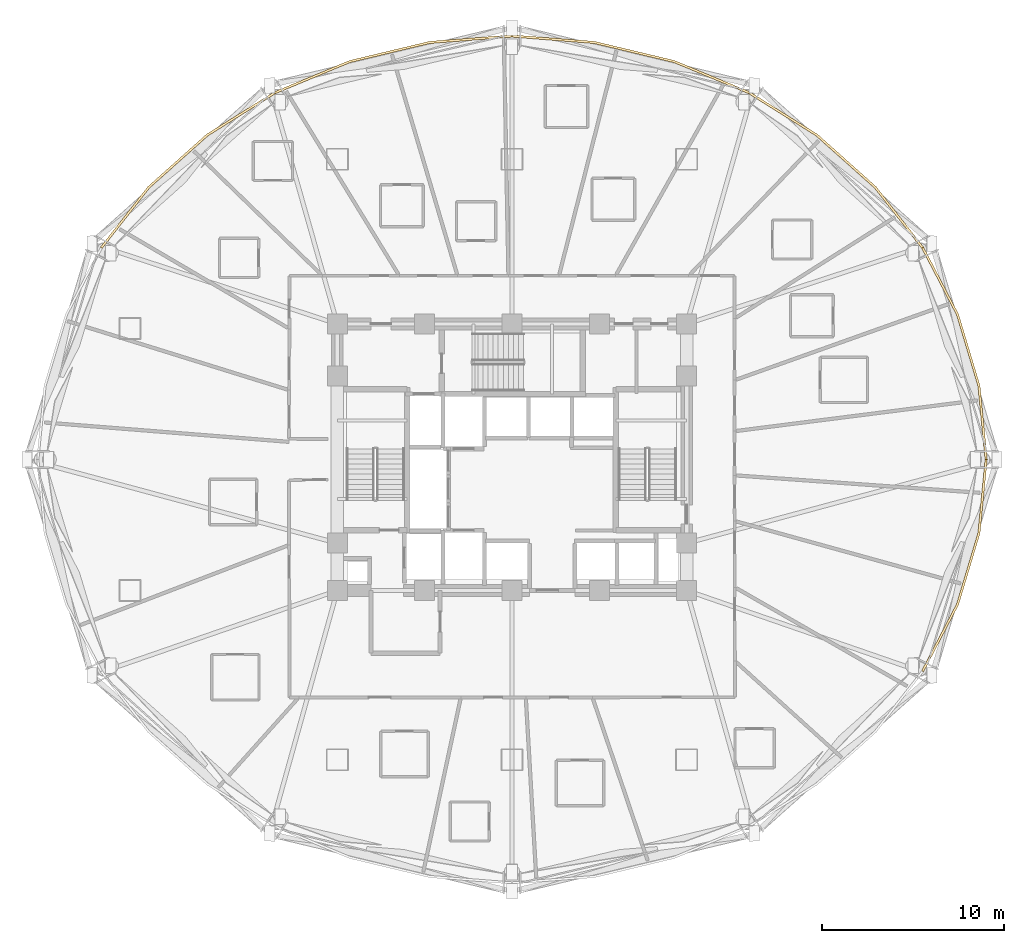
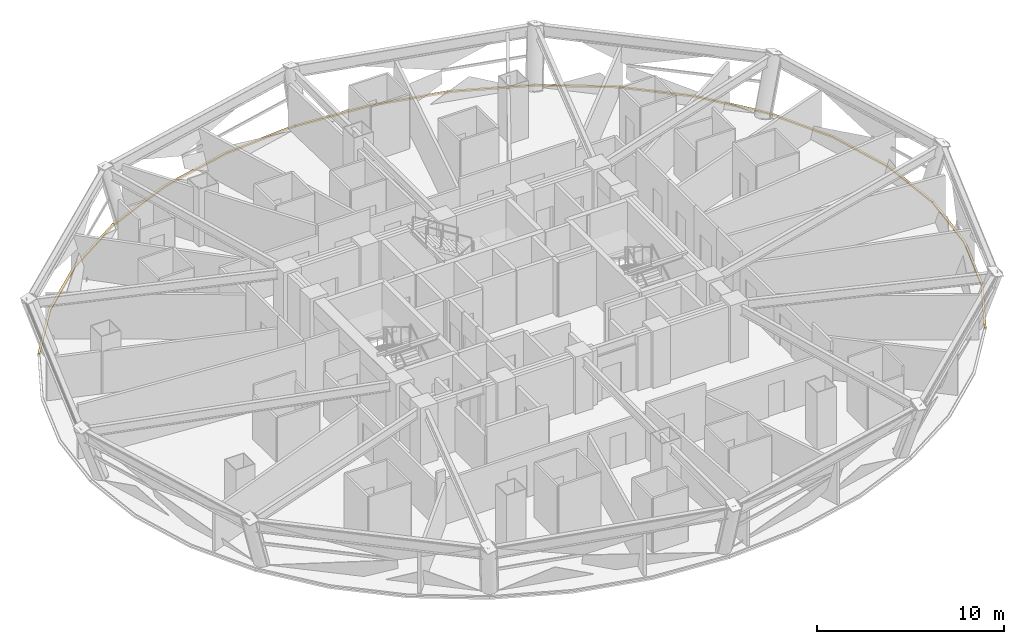
# One storey, part 12 of 12: 6 coverings.
"""IFC4 building model written with IfcOpenShell, lengths in metres."""

from ifc_helpers import new_model, si_unit, direction, frame, origin, place, context, subcontext, project, spatial, polyline, outline, extrude, material, layer, layer_set, type_object, element, save


model = new_model("IFC4")

# Units and contexts
model_context = context("Model", 3, precision=1e-05, world=origin(), true_north=direction((0.0, 1.0)))
body_context = subcontext(model_context, "Body", "Model", "MODEL_VIEW")
ifc_project = project(units=[si_unit("LENGTHUNIT", "METRE"), si_unit("AREAUNIT", "SQUARE_METRE"), si_unit("VOLUMEUNIT", "CUBIC_METRE"), si_unit("PLANEANGLEUNIT", "RADIAN"), si_unit("MASSUNIT", "GRAM", prefix="KILO")], contexts=[model_context])

# Site, building, storey
site_placement = place(None, origin())
site = spatial("IfcSite", under=ifc_project, at=site_placement, CompositionType="ELEMENT")
building_placement = place(site_placement, origin())
building = spatial("IfcBuilding", under=site, at=building_placement, Name="Vantalir Tower", CompositionType="ELEMENT")
storey_placement = place(building_placement, frame((0.0, 0.0, 38.25)))
storey = spatial("IfcBuildingStorey", under=building, at=storey_placement, Name="L08", CompositionType="ELEMENT", Elevation=38.25)

# Coverings
ifc_material = material(Name="Anodised champagne aluminium sill fascia", Category="aluminium")
ifc_layer = layer(ifc_material, 0.125)
ifc_layer_set = layer_set([ifc_layer], Name="Anodised champagne aluminium sill fascia")
covering_type = type_object("IfcCoveringType", Name="COV-SLAB-FASCIA-125", PredefinedType="CLADDING", material=ifc_layer_set)
covering_1_placement = place(storey_placement, frame((0.0, 0.0, -0.179931640625)))
element("IfcCovering", 1, at=covering_1_placement, inside=storey, type_object=covering_type, Name="L08 Perimeter Slab-Edge Sill Fascia 01", PredefinedType="CLADDING", context=body_context, shape_type="SweptSolid", body=[
    extrude(outline(polyline([(57.625, 25.0), (57.22802734375, 29.052978515625), (56.049072265625, 32.98193359375), (54.125, 36.6689453125), (54.01708984375, 36.60693359375), (55.931884765625, 32.93994140625), (57.10498046875, 29.031005859375), (57.5, 25.0), (57.625, 25.0)])), origin(), (0.0, 0.0, 1.0), 0.10498046875),
])
covering_2_placement = place(storey_placement, frame((0.0, 0.0, -0.179931640625)))
element("IfcCovering", 2, at=covering_2_placement, inside=storey, type_object=covering_type, Name="L08 Perimeter Slab-Edge Sill Fascia 02", PredefinedType="CLADDING", context=body_context, shape_type="SweptSolid", body=[
    extrude(outline(polyline([(54.125, 36.6689453125), (51.512939453125, 40.001953125), (48.29296875, 42.87890625), (44.56298828125, 45.2119140625), (44.5, 45.10400390625), (48.2119140625, 42.782958984375), (51.4169921875, 39.922119140625), (54.01708984375, 36.60693359375), (54.125, 36.6689453125)])), origin(), (0.0, 0.0, 1.0), 0.10498046875),
])
covering_3_placement = place(storey_placement, frame((0.0, 0.0, -0.179931640625)))
element("IfcCovering", 3, at=covering_3_placement, inside=storey, type_object=covering_type, Name="L08 Perimeter Slab-Edge Sill Fascia 03", PredefinedType="CLADDING", context=body_context, shape_type="SweptSolid", body=[
    extrude(outline(polyline([(44.56298828125, 45.2119140625), (40.43505859375, 46.930908203125), (36.037109375, 47.98388671875), (31.5, 48.339111328125), (31.5, 48.214111328125), (36.014892578125, 47.861083984375), (40.39306640625, 46.81396484375), (44.5, 45.10400390625), (44.56298828125, 45.2119140625)])), origin(), (0.0, 0.0, 1.0), 0.10498046875),
])
covering_4_placement = place(storey_placement, frame((0.0, 0.0, -0.179931640625)))
element("IfcCovering", 4, at=covering_4_placement, inside=storey, type_object=covering_type, Name="L08 Perimeter Slab-Edge Sill Fascia 04", PredefinedType="CLADDING", context=body_context, shape_type="SweptSolid", body=[
    extrude(outline(polyline([(31.5, 48.339111328125), (26.962890625, 47.98388671875), (22.56494140625, 46.930908203125), (18.43798828125, 45.2119140625), (18.5, 45.10400390625), (22.60693359375, 46.81396484375), (26.985107421875, 47.861083984375), (31.5, 48.214111328125), (31.5, 48.339111328125)])), origin(), (0.0, 0.0, 1.0), 0.10498046875),
])
covering_5_placement = place(storey_placement, frame((0.0, 0.0, -0.179931640625)))
element("IfcCovering", 5, at=covering_5_placement, inside=storey, type_object=covering_type, Name="L08 Perimeter Slab-Edge Sill Fascia 05", PredefinedType="CLADDING", context=body_context, shape_type="SweptSolid", body=[
    extrude(outline(polyline([(18.43798828125, 45.2119140625), (14.70703125, 42.87890625), (11.487060546875, 40.001953125), (8.875, 36.6689453125), (8.98291015625, 36.60693359375), (11.5830078125, 39.922119140625), (14.7880859375, 42.782958984375), (18.5, 45.10400390625), (18.43798828125, 45.2119140625)])), origin(), (0.0, 0.0, 1.0), 0.10498046875),
])
covering_6_placement = place(storey_placement, frame((0.0, 0.0, -0.179931640625)))
element("IfcCovering", 6, at=covering_6_placement, inside=storey, type_object=covering_type, Name="L08 Perimeter Slab-Edge Sill Fascia 12", PredefinedType="CLADDING", context=body_context, shape_type="SweptSolid", body=[
    extrude(outline(polyline([(54.125, 13.330078125), (56.049072265625, 17.01806640625), (57.22802734375, 20.947021484375), (57.625, 25.0), (57.5, 25.0), (57.10498046875, 20.968994140625), (55.931884765625, 17.06005859375), (54.01708984375, 13.39306640625), (54.125, 13.330078125)])), origin(), (0.0, 0.0, 1.0), 0.10498046875),
])

save(model, "model.ifc")
